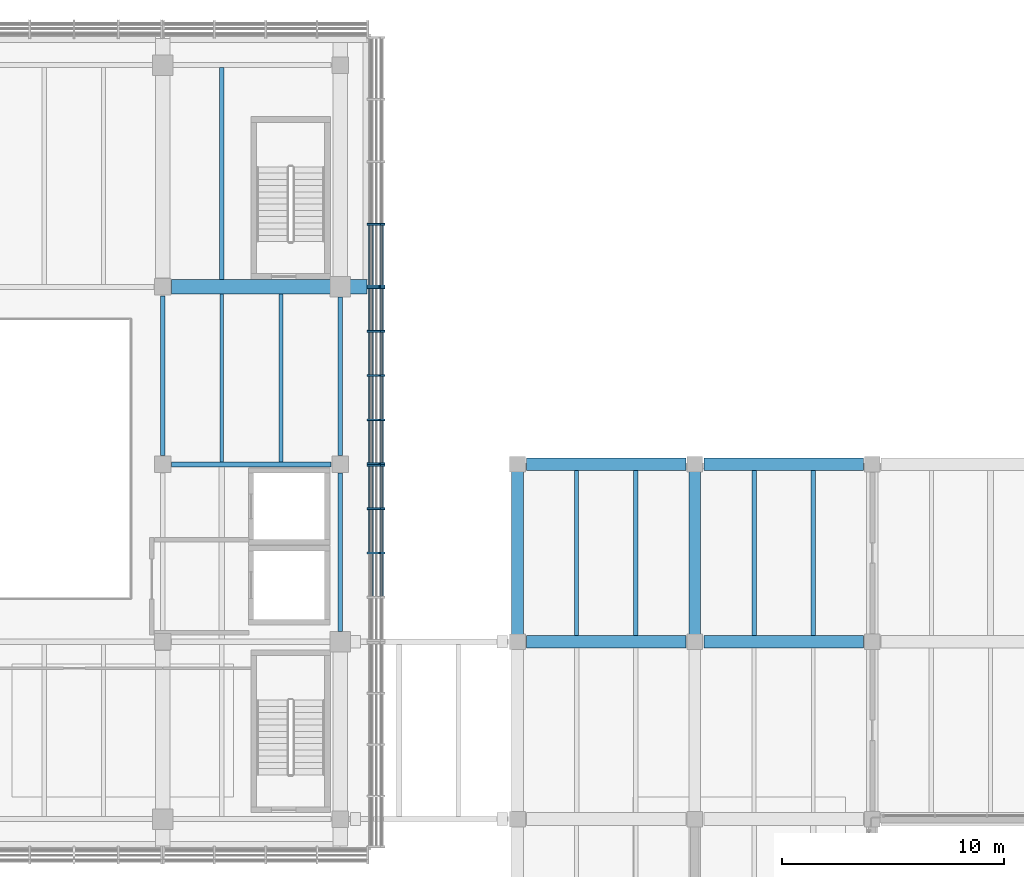
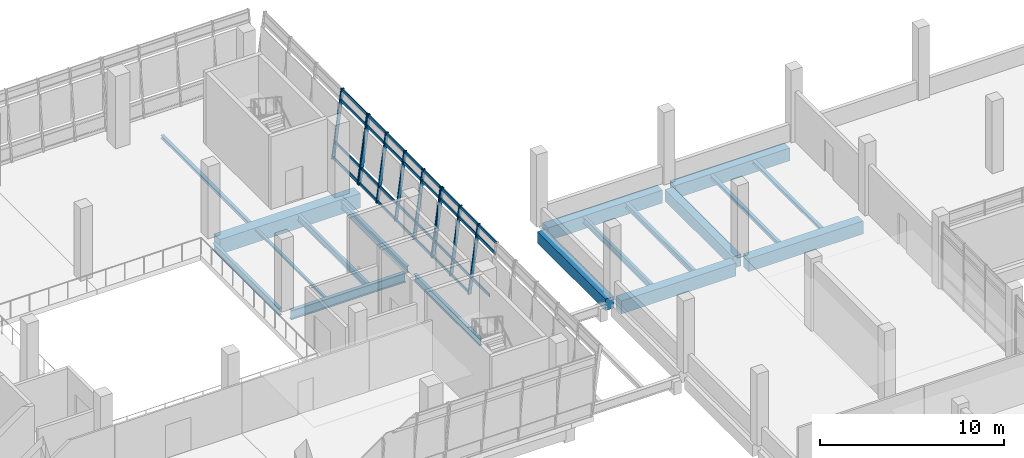
# One storey, part 16 of 52: 41 members, 18 beams, 3 elements without a shape of their own.
"""IFC4 building model written with IfcOpenShell, lengths in metres."""

from ifc_helpers import new_model, si_unit, direction, frame, origin, origin_2d, place, context, subcontext, project, spatial, rectangle, i_section, extrude, material, material_profile, profile_set, type_object, element, aggregate, save


model = new_model("IFC4")

# Units and contexts
model_context = context("Model", 3, precision=1e-05, world=origin(), true_north=direction((0.0, 1.0)))
body_context = subcontext(model_context, "Body", "Model", "MODEL_VIEW")
ifc_project = project(units=[si_unit("LENGTHUNIT", "METRE"), si_unit("AREAUNIT", "SQUARE_METRE"), si_unit("VOLUMEUNIT", "CUBIC_METRE"), si_unit("PLANEANGLEUNIT", "RADIAN"), si_unit("MASSUNIT", "GRAM", prefix="KILO")], contexts=[model_context])

# Site, building, storey
site_placement = place(None, origin())
site = spatial("IfcSite", under=ifc_project, at=site_placement, CompositionType="ELEMENT")
building_placement = place(site_placement, origin())
building = spatial("IfcBuilding", under=site, at=building_placement, Name="Pecanmere Concourse Central Library", CompositionType="ELEMENT")
storey_placement = place(building_placement, frame((0.0, 0.0, 10.5)))
storey = spatial("IfcBuildingStorey", under=building, at=storey_placement, Name="L03", CompositionType="ELEMENT", Elevation=10.5)

# Curtain wall, members
ifc_material_1 = material(Name="Anodized bronze aluminium alloy 6063-T6", Category="aluminium")
curtain_wall_type = type_object("IfcCurtainWallType", Name="CW_LEAN_BANDED", PredefinedType="USERDEFINED", material=ifc_material_1)
curtain_wall_1_placement = place(storey_placement, origin())
curtain_wall_1 = element("IfcCurtainWall", 1, at=curtain_wall_1_placement, inside=storey, type_object=curtain_wall_type, Name="Unitised Curtain Wall CW-01 L03-031", ObjectType="UNITISED CURTAIN WALL", PredefinedType="USERDEFINED")
ifc_material_2 = material(Name="Anodized bronze aluminium alloy 6063-T6", Category="aluminium")
ifc_material_profile_1 = material_profile(ifc_material_2, rectangle(XDim=0.074951171875, YDim=0.199951171875, at=origin_2d()), Name="AL 75x200")
ifc_profile_set_1 = profile_set([ifc_material_profile_1], Name="Anodized bronze aluminium alloy 6063-T6")
member_type_1 = type_object("IfcMemberType", Name="CWM_200x75", PredefinedType="MULLION", material=ifc_profile_set_1)
member_1_placement = place(storey_placement, frame((105.321044921875, 102.0, 0.0), z_axis=(0.132234484848, 0.0, 0.991218462811), x_axis=(0.0, 1.0, 0.0)))
member_1 = element("IfcMember", 2, at=member_1_placement, type_object=member_type_1, Name="CW-01 Mullion 3", PredefinedType="MULLION", context=body_context, shape_type="SweptSolid", body=[
    extrude(rectangle(XDim=0.074951171875, YDim=0.199951171875, at=origin_2d()), origin(), (0.0, 0.0, 1.0), 4.519775390625),
])
member_2_placement = place(storey_placement, frame((105.321044921875, 103.99755859375, 0.0), z_axis=(0.132234484848, 0.0, 0.991218462811), x_axis=(0.0, 1.0, 0.0)))
member_2 = element("IfcMember", 3, at=member_2_placement, type_object=member_type_1, Name="CW-01 Mullion 4", PredefinedType="MULLION", context=body_context, shape_type="SweptSolid", body=[
    extrude(rectangle(XDim=0.074951171875, YDim=0.199951171875, at=origin_2d()), origin(), (0.0, 0.0, 1.0), 4.519775390625),
])
member_3_placement = place(storey_placement, frame((105.321044921875, 105.95751953125, 0.0), z_axis=(0.132234484848, 0.0, 0.991218462811), x_axis=(0.0, 1.0, 0.0)))
member_3 = element("IfcMember", 4, at=member_3_placement, type_object=member_type_1, Name="CW-01 Mullion 5", PredefinedType="MULLION", context=body_context, shape_type="SweptSolid", body=[
    extrude(rectangle(XDim=0.074951171875, YDim=0.199951171875, at=origin_2d()), origin(), (0.0, 0.0, 1.0), 4.519775390625),
])

curtain_wall_2_placement = place(storey_placement, origin())
curtain_wall_2 = element("IfcCurtainWall", 5, at=curtain_wall_2_placement, inside=storey, type_object=curtain_wall_type, Name="Unitised Curtain Wall CW-01 L03-032", ObjectType="UNITISED CURTAIN WALL", PredefinedType="USERDEFINED")
member_4_placement = place(storey_placement, frame((105.321044921875, 106.04248046875, 0.0), z_axis=(0.132234484848, 0.0, 0.991218462811), x_axis=(0.0, 1.0, 0.0)))
member_4 = element("IfcMember", 6, at=member_4_placement, type_object=member_type_1, Name="CW-01 Mullion 1", PredefinedType="MULLION", context=body_context, shape_type="SweptSolid", body=[
    extrude(rectangle(XDim=0.074951171875, YDim=0.199951171875, at=origin_2d()), origin(), (0.0, 0.0, 1.0), 4.519775390625),
])
member_5_placement = place(storey_placement, frame((105.321044921875, 108.00244140625, 0.0), z_axis=(0.132234484848, 0.0, 0.991218462811), x_axis=(0.0, 1.0, 0.0)))
member_5 = element("IfcMember", 7, at=member_5_placement, type_object=member_type_1, Name="CW-01 Mullion 2", PredefinedType="MULLION", context=body_context, shape_type="SweptSolid", body=[
    extrude(rectangle(XDim=0.074951171875, YDim=0.199951171875, at=origin_2d()), origin(), (0.0, 0.0, 1.0), 4.519775390625),
])
member_6_placement = place(storey_placement, frame((105.321044921875, 110.0, 0.0), z_axis=(0.132234484848, 0.0, 0.991218462811), x_axis=(0.0, 1.0, 0.0)))
member_6 = element("IfcMember", 8, at=member_6_placement, type_object=member_type_1, Name="CW-01 Mullion 3", PredefinedType="MULLION", context=body_context, shape_type="SweptSolid", body=[
    extrude(rectangle(XDim=0.074951171875, YDim=0.199951171875, at=origin_2d()), origin(), (0.0, 0.0, 1.0), 4.519775390625),
])
member_7_placement = place(storey_placement, frame((105.321044921875, 111.99755859375, 0.0), z_axis=(0.132234484848, 0.0, 0.991218462811), x_axis=(0.0, 1.0, 0.0)))
member_7 = element("IfcMember", 9, at=member_7_placement, type_object=member_type_1, Name="CW-01 Mullion 4", PredefinedType="MULLION", context=body_context, shape_type="SweptSolid", body=[
    extrude(rectangle(XDim=0.074951171875, YDim=0.199951171875, at=origin_2d()), origin(), (0.0, 0.0, 1.0), 4.519775390625),
])
member_8_placement = place(storey_placement, frame((105.321044921875, 113.95751953125, 0.0), z_axis=(0.132234484848, 0.0, 0.991218462811), x_axis=(0.0, 1.0, 0.0)))
member_8 = element("IfcMember", 10, at=member_8_placement, type_object=member_type_1, Name="CW-01 Mullion 5", PredefinedType="MULLION", context=body_context, shape_type="SweptSolid", body=[
    extrude(rectangle(XDim=0.074951171875, YDim=0.199951171875, at=origin_2d()), origin(), (0.0, 0.0, 1.0), 4.519775390625),
])

curtain_wall_3_placement = place(storey_placement, origin())
curtain_wall_3 = element("IfcCurtainWall", 11, at=curtain_wall_3_placement, inside=storey, type_object=curtain_wall_type, Name="Unitised Curtain Wall CW-01 L03-033", ObjectType="UNITISED CURTAIN WALL", PredefinedType="USERDEFINED")
member_9_placement = place(storey_placement, frame((105.321044921875, 114.04248046875, 0.0), z_axis=(0.132234484848, 0.0, 0.991218462811), x_axis=(0.0, 1.0, 0.0)))
member_9 = element("IfcMember", 12, at=member_9_placement, type_object=member_type_1, Name="CW-01 Mullion 1", PredefinedType="MULLION", context=body_context, shape_type="SweptSolid", body=[
    extrude(rectangle(XDim=0.074951171875, YDim=0.199951171875, at=origin_2d()), origin(), (0.0, 0.0, 1.0), 4.519775390625),
])
member_10_placement = place(storey_placement, frame((105.321044921875, 116.823974609375, 0.0), z_axis=(0.132234484848, 0.0, 0.991218462811), x_axis=(0.0, 1.0, 0.0)))
member_10 = element("IfcMember", 13, at=member_10_placement, type_object=member_type_1, Name="CW-01 Mullion 2", PredefinedType="MULLION", context=body_context, shape_type="SweptSolid", body=[
    extrude(rectangle(XDim=0.074951171875, YDim=0.199951171875, at=origin_2d()), origin(), (0.0, 0.0, 1.0), 4.519775390625),
])

# Member
ifc_material_3 = material(Name="Anodized bronze aluminium alloy 6063-T6", Category="aluminium")
ifc_material_profile_2 = material_profile(ifc_material_3, rectangle(XDim=0.06494140625, YDim=0.179931640625, at=origin_2d()), Name="AL 65x180")
ifc_profile_set_2 = profile_set([ifc_material_profile_2], Name="Anodized bronze aluminium alloy 6063-T6")
member_type_2 = type_object("IfcMemberType", Name="CWT_180x65", PredefinedType="USERDEFINED", material=ifc_profile_set_2)
member_11_placement = place(storey_placement, frame((105.461181640625, 100.0400390625, 1.050048828125), z_axis=(0.0, 1.0, 0.0), x_axis=(-1.0, 0.0, 0.0)))
member_11 = element("IfcMember", 14, at=member_11_placement, type_object=member_type_2, Name="CW-01 Transom 2.2", ObjectType="TRANSOM", PredefinedType="USERDEFINED", context=body_context, shape_type="SweptSolid", body=[
    extrude(rectangle(XDim=0.06494140625, YDim=0.179931640625, at=origin_2d()), origin(), (0.0, 0.0, 1.0), 1.92236328125),
])

member_12_placement = place(storey_placement, frame((105.818603515625, 100.0400390625, 3.72998046875), z_axis=(0.0, 1.0, 0.0), x_axis=(-1.0, 0.0, 0.0)))
member_12 = element("IfcMember", 15, at=member_12_placement, type_object=member_type_2, Name="CW-01 Transom 2.3", ObjectType="TRANSOM", PredefinedType="USERDEFINED", context=body_context, shape_type="SweptSolid", body=[
    extrude(rectangle(XDim=0.06494140625, YDim=0.179931640625, at=origin_2d()), origin(), (0.0, 0.0, 1.0), 1.92236328125),
])

member_13_placement = place(storey_placement, frame((105.90673828125, 100.0400390625, 4.389892578125), z_axis=(0.0, 1.0, 0.0), x_axis=(-1.0, 0.0, 0.0)))
member_13 = element("IfcMember", 16, at=member_13_placement, type_object=member_type_2, Name="CW-01 Transom 2.4", ObjectType="TRANSOM", PredefinedType="USERDEFINED", context=body_context, shape_type="SweptSolid", body=[
    extrude(rectangle(XDim=0.06494140625, YDim=0.179931640625, at=origin_2d()), origin(), (0.0, 0.0, 1.0), 1.92236328125),
])

member_14_placement = place(storey_placement, frame((105.3330078125, 102.03759765625, 0.090087890625), z_axis=(0.0, 1.0, 0.0), x_axis=(-1.0, 0.0, 0.0)))
member_14 = element("IfcMember", 17, at=member_14_placement, type_object=member_type_2, Name="CW-01 Transom 3.1", ObjectType="TRANSOM", PredefinedType="USERDEFINED", context=body_context, shape_type="SweptSolid", body=[
    extrude(rectangle(XDim=0.06494140625, YDim=0.179931640625, at=origin_2d()), origin(), (0.0, 0.0, 1.0), 1.92236328125),
])

member_15_placement = place(storey_placement, frame((105.461181640625, 102.03759765625, 1.050048828125), z_axis=(0.0, 1.0, 0.0), x_axis=(-1.0, 0.0, 0.0)))
member_15 = element("IfcMember", 18, at=member_15_placement, type_object=member_type_2, Name="CW-01 Transom 3.2", ObjectType="TRANSOM", PredefinedType="USERDEFINED", context=body_context, shape_type="SweptSolid", body=[
    extrude(rectangle(XDim=0.06494140625, YDim=0.179931640625, at=origin_2d()), origin(), (0.0, 0.0, 1.0), 1.92236328125),
])

member_16_placement = place(storey_placement, frame((105.818603515625, 102.03759765625, 3.72998046875), z_axis=(0.0, 1.0, 0.0), x_axis=(-1.0, 0.0, 0.0)))
member_16 = element("IfcMember", 19, at=member_16_placement, type_object=member_type_2, Name="CW-01 Transom 3.3", ObjectType="TRANSOM", PredefinedType="USERDEFINED", context=body_context, shape_type="SweptSolid", body=[
    extrude(rectangle(XDim=0.06494140625, YDim=0.179931640625, at=origin_2d()), origin(), (0.0, 0.0, 1.0), 1.92236328125),
])

member_17_placement = place(storey_placement, frame((105.90673828125, 102.03759765625, 4.389892578125), z_axis=(0.0, 1.0, 0.0), x_axis=(-1.0, 0.0, 0.0)))
member_17 = element("IfcMember", 20, at=member_17_placement, type_object=member_type_2, Name="CW-01 Transom 3.4", ObjectType="TRANSOM", PredefinedType="USERDEFINED", context=body_context, shape_type="SweptSolid", body=[
    extrude(rectangle(XDim=0.06494140625, YDim=0.179931640625, at=origin_2d()), origin(), (0.0, 0.0, 1.0), 1.92236328125),
])

member_18_placement = place(storey_placement, frame((105.3330078125, 104.034912109375, 0.090087890625), z_axis=(0.0, 1.0, 0.0), x_axis=(-1.0, 0.0, 0.0)))
member_18 = element("IfcMember", 21, at=member_18_placement, type_object=member_type_2, Name="CW-01 Transom 4.1", ObjectType="TRANSOM", PredefinedType="USERDEFINED", context=body_context, shape_type="SweptSolid", body=[
    extrude(rectangle(XDim=0.06494140625, YDim=0.179931640625, at=origin_2d()), origin(), (0.0, 0.0, 1.0), 1.885009765625),
])

member_19_placement = place(storey_placement, frame((105.461181640625, 104.034912109375, 1.050048828125), z_axis=(0.0, 1.0, 0.0), x_axis=(-1.0, 0.0, 0.0)))
member_19 = element("IfcMember", 22, at=member_19_placement, type_object=member_type_2, Name="CW-01 Transom 4.2", ObjectType="TRANSOM", PredefinedType="USERDEFINED", context=body_context, shape_type="SweptSolid", body=[
    extrude(rectangle(XDim=0.06494140625, YDim=0.179931640625, at=origin_2d()), origin(), (0.0, 0.0, 1.0), 1.885009765625),
])

member_20_placement = place(storey_placement, frame((105.818603515625, 104.034912109375, 3.72998046875), z_axis=(0.0, 1.0, 0.0), x_axis=(-1.0, 0.0, 0.0)))
member_20 = element("IfcMember", 23, at=member_20_placement, type_object=member_type_2, Name="CW-01 Transom 4.3", ObjectType="TRANSOM", PredefinedType="USERDEFINED", context=body_context, shape_type="SweptSolid", body=[
    extrude(rectangle(XDim=0.06494140625, YDim=0.179931640625, at=origin_2d()), origin(), (0.0, 0.0, 1.0), 1.885009765625),
])

member_21_placement = place(storey_placement, frame((105.90673828125, 104.034912109375, 4.389892578125), z_axis=(0.0, 1.0, 0.0), x_axis=(-1.0, 0.0, 0.0)))
member_21 = element("IfcMember", 24, at=member_21_placement, type_object=member_type_2, Name="CW-01 Transom 4.4", ObjectType="TRANSOM", PredefinedType="USERDEFINED", context=body_context, shape_type="SweptSolid", body=[
    extrude(rectangle(XDim=0.06494140625, YDim=0.179931640625, at=origin_2d()), origin(), (0.0, 0.0, 1.0), 1.885009765625),
])

aggregate(curtain_wall_1, [member_1, member_2, member_3, member_11, member_12, member_13, member_14, member_15, member_16, member_17, member_18, member_19, member_20, member_21])

member_22_placement = place(storey_placement, frame((105.3330078125, 106.080078125, 0.090087890625), z_axis=(0.0, 1.0, 0.0), x_axis=(-1.0, 0.0, 0.0)))
member_22 = element("IfcMember", 25, at=member_22_placement, type_object=member_type_2, Name="CW-01 Transom 1.1", ObjectType="TRANSOM", PredefinedType="USERDEFINED", context=body_context, shape_type="SweptSolid", body=[
    extrude(rectangle(XDim=0.06494140625, YDim=0.179931640625, at=origin_2d()), origin(), (0.0, 0.0, 1.0), 1.885009765625),
])

member_23_placement = place(storey_placement, frame((105.461181640625, 106.080078125, 1.050048828125), z_axis=(0.0, 1.0, 0.0), x_axis=(-1.0, 0.0, 0.0)))
member_23 = element("IfcMember", 26, at=member_23_placement, type_object=member_type_2, Name="CW-01 Transom 1.2", ObjectType="TRANSOM", PredefinedType="USERDEFINED", context=body_context, shape_type="SweptSolid", body=[
    extrude(rectangle(XDim=0.06494140625, YDim=0.179931640625, at=origin_2d()), origin(), (0.0, 0.0, 1.0), 1.885009765625),
])

member_24_placement = place(storey_placement, frame((105.818603515625, 106.080078125, 3.72998046875), z_axis=(0.0, 1.0, 0.0), x_axis=(-1.0, 0.0, 0.0)))
member_24 = element("IfcMember", 27, at=member_24_placement, type_object=member_type_2, Name="CW-01 Transom 1.3", ObjectType="TRANSOM", PredefinedType="USERDEFINED", context=body_context, shape_type="SweptSolid", body=[
    extrude(rectangle(XDim=0.06494140625, YDim=0.179931640625, at=origin_2d()), origin(), (0.0, 0.0, 1.0), 1.885009765625),
])

member_25_placement = place(storey_placement, frame((105.90673828125, 106.080078125, 4.389892578125), z_axis=(0.0, 1.0, 0.0), x_axis=(-1.0, 0.0, 0.0)))
member_25 = element("IfcMember", 28, at=member_25_placement, type_object=member_type_2, Name="CW-01 Transom 1.4", ObjectType="TRANSOM", PredefinedType="USERDEFINED", context=body_context, shape_type="SweptSolid", body=[
    extrude(rectangle(XDim=0.06494140625, YDim=0.179931640625, at=origin_2d()), origin(), (0.0, 0.0, 1.0), 1.885009765625),
])

member_26_placement = place(storey_placement, frame((105.3330078125, 108.0400390625, 0.090087890625), z_axis=(0.0, 1.0, 0.0), x_axis=(-1.0, 0.0, 0.0)))
member_26 = element("IfcMember", 29, at=member_26_placement, type_object=member_type_2, Name="CW-01 Transom 2.1", ObjectType="TRANSOM", PredefinedType="USERDEFINED", context=body_context, shape_type="SweptSolid", body=[
    extrude(rectangle(XDim=0.06494140625, YDim=0.179931640625, at=origin_2d()), origin(), (0.0, 0.0, 1.0), 1.92236328125),
])

member_27_placement = place(storey_placement, frame((105.461181640625, 108.0400390625, 1.050048828125), z_axis=(0.0, 1.0, 0.0), x_axis=(-1.0, 0.0, 0.0)))
member_27 = element("IfcMember", 30, at=member_27_placement, type_object=member_type_2, Name="CW-01 Transom 2.2", ObjectType="TRANSOM", PredefinedType="USERDEFINED", context=body_context, shape_type="SweptSolid", body=[
    extrude(rectangle(XDim=0.06494140625, YDim=0.179931640625, at=origin_2d()), origin(), (0.0, 0.0, 1.0), 1.92236328125),
])

member_28_placement = place(storey_placement, frame((105.818603515625, 108.0400390625, 3.72998046875), z_axis=(0.0, 1.0, 0.0), x_axis=(-1.0, 0.0, 0.0)))
member_28 = element("IfcMember", 31, at=member_28_placement, type_object=member_type_2, Name="CW-01 Transom 2.3", ObjectType="TRANSOM", PredefinedType="USERDEFINED", context=body_context, shape_type="SweptSolid", body=[
    extrude(rectangle(XDim=0.06494140625, YDim=0.179931640625, at=origin_2d()), origin(), (0.0, 0.0, 1.0), 1.92236328125),
])

member_29_placement = place(storey_placement, frame((105.90673828125, 108.0400390625, 4.389892578125), z_axis=(0.0, 1.0, 0.0), x_axis=(-1.0, 0.0, 0.0)))
member_29 = element("IfcMember", 32, at=member_29_placement, type_object=member_type_2, Name="CW-01 Transom 2.4", ObjectType="TRANSOM", PredefinedType="USERDEFINED", context=body_context, shape_type="SweptSolid", body=[
    extrude(rectangle(XDim=0.06494140625, YDim=0.179931640625, at=origin_2d()), origin(), (0.0, 0.0, 1.0), 1.92236328125),
])

member_30_placement = place(storey_placement, frame((105.3330078125, 110.03759765625, 0.090087890625), z_axis=(0.0, 1.0, 0.0), x_axis=(-1.0, 0.0, 0.0)))
member_30 = element("IfcMember", 33, at=member_30_placement, type_object=member_type_2, Name="CW-01 Transom 3.1", ObjectType="TRANSOM", PredefinedType="USERDEFINED", context=body_context, shape_type="SweptSolid", body=[
    extrude(rectangle(XDim=0.06494140625, YDim=0.179931640625, at=origin_2d()), origin(), (0.0, 0.0, 1.0), 1.92236328125),
])

member_31_placement = place(storey_placement, frame((105.461181640625, 110.03759765625, 1.050048828125), z_axis=(0.0, 1.0, 0.0), x_axis=(-1.0, 0.0, 0.0)))
member_31 = element("IfcMember", 34, at=member_31_placement, type_object=member_type_2, Name="CW-01 Transom 3.2", ObjectType="TRANSOM", PredefinedType="USERDEFINED", context=body_context, shape_type="SweptSolid", body=[
    extrude(rectangle(XDim=0.06494140625, YDim=0.179931640625, at=origin_2d()), origin(), (0.0, 0.0, 1.0), 1.92236328125),
])

member_32_placement = place(storey_placement, frame((105.818603515625, 110.03759765625, 3.72998046875), z_axis=(0.0, 1.0, 0.0), x_axis=(-1.0, 0.0, 0.0)))
member_32 = element("IfcMember", 35, at=member_32_placement, type_object=member_type_2, Name="CW-01 Transom 3.3", ObjectType="TRANSOM", PredefinedType="USERDEFINED", context=body_context, shape_type="SweptSolid", body=[
    extrude(rectangle(XDim=0.06494140625, YDim=0.179931640625, at=origin_2d()), origin(), (0.0, 0.0, 1.0), 1.92236328125),
])

member_33_placement = place(storey_placement, frame((105.90673828125, 110.03759765625, 4.389892578125), z_axis=(0.0, 1.0, 0.0), x_axis=(-1.0, 0.0, 0.0)))
member_33 = element("IfcMember", 36, at=member_33_placement, type_object=member_type_2, Name="CW-01 Transom 3.4", ObjectType="TRANSOM", PredefinedType="USERDEFINED", context=body_context, shape_type="SweptSolid", body=[
    extrude(rectangle(XDim=0.06494140625, YDim=0.179931640625, at=origin_2d()), origin(), (0.0, 0.0, 1.0), 1.92236328125),
])

member_34_placement = place(storey_placement, frame((105.3330078125, 112.034912109375, 0.090087890625), z_axis=(0.0, 1.0, 0.0), x_axis=(-1.0, 0.0, 0.0)))
member_34 = element("IfcMember", 37, at=member_34_placement, type_object=member_type_2, Name="CW-01 Transom 4.1", ObjectType="TRANSOM", PredefinedType="USERDEFINED", context=body_context, shape_type="SweptSolid", body=[
    extrude(rectangle(XDim=0.06494140625, YDim=0.179931640625, at=origin_2d()), origin(), (0.0, 0.0, 1.0), 1.885009765625),
])

member_35_placement = place(storey_placement, frame((105.461181640625, 112.034912109375, 1.050048828125), z_axis=(0.0, 1.0, 0.0), x_axis=(-1.0, 0.0, 0.0)))
member_35 = element("IfcMember", 38, at=member_35_placement, type_object=member_type_2, Name="CW-01 Transom 4.2", ObjectType="TRANSOM", PredefinedType="USERDEFINED", context=body_context, shape_type="SweptSolid", body=[
    extrude(rectangle(XDim=0.06494140625, YDim=0.179931640625, at=origin_2d()), origin(), (0.0, 0.0, 1.0), 1.885009765625),
])

member_36_placement = place(storey_placement, frame((105.818603515625, 112.034912109375, 3.72998046875), z_axis=(0.0, 1.0, 0.0), x_axis=(-1.0, 0.0, 0.0)))
member_36 = element("IfcMember", 39, at=member_36_placement, type_object=member_type_2, Name="CW-01 Transom 4.3", ObjectType="TRANSOM", PredefinedType="USERDEFINED", context=body_context, shape_type="SweptSolid", body=[
    extrude(rectangle(XDim=0.06494140625, YDim=0.179931640625, at=origin_2d()), origin(), (0.0, 0.0, 1.0), 1.885009765625),
])

member_37_placement = place(storey_placement, frame((105.90673828125, 112.034912109375, 4.389892578125), z_axis=(0.0, 1.0, 0.0), x_axis=(-1.0, 0.0, 0.0)))
member_37 = element("IfcMember", 40, at=member_37_placement, type_object=member_type_2, Name="CW-01 Transom 4.4", ObjectType="TRANSOM", PredefinedType="USERDEFINED", context=body_context, shape_type="SweptSolid", body=[
    extrude(rectangle(XDim=0.06494140625, YDim=0.179931640625, at=origin_2d()), origin(), (0.0, 0.0, 1.0), 1.885009765625),
])

aggregate(curtain_wall_2, [member_4, member_5, member_6, member_7, member_8, member_22, member_23, member_24, member_25, member_26, member_27, member_28, member_29, member_30, member_31, member_32, member_33, member_34, member_35, member_36, member_37])

member_38_placement = place(storey_placement, frame((105.3330078125, 114.080078125, 0.090087890625), z_axis=(0.0, 1.0, 0.0), x_axis=(-1.0, 0.0, 0.0)))
member_38 = element("IfcMember", 41, at=member_38_placement, type_object=member_type_2, Name="CW-01 Transom 1.1", ObjectType="TRANSOM", PredefinedType="USERDEFINED", context=body_context, shape_type="SweptSolid", body=[
    extrude(rectangle(XDim=0.06494140625, YDim=0.179931640625, at=origin_2d()), origin(), (0.0, 0.0, 1.0), 2.70654296875),
])

member_39_placement = place(storey_placement, frame((105.461181640625, 114.080078125, 1.050048828125), z_axis=(0.0, 1.0, 0.0), x_axis=(-1.0, 0.0, 0.0)))
member_39 = element("IfcMember", 42, at=member_39_placement, type_object=member_type_2, Name="CW-01 Transom 1.2", ObjectType="TRANSOM", PredefinedType="USERDEFINED", context=body_context, shape_type="SweptSolid", body=[
    extrude(rectangle(XDim=0.06494140625, YDim=0.179931640625, at=origin_2d()), origin(), (0.0, 0.0, 1.0), 2.70654296875),
])

member_40_placement = place(storey_placement, frame((105.818603515625, 114.080078125, 3.72998046875), z_axis=(0.0, 1.0, 0.0), x_axis=(-1.0, 0.0, 0.0)))
member_40 = element("IfcMember", 43, at=member_40_placement, type_object=member_type_2, Name="CW-01 Transom 1.3", ObjectType="TRANSOM", PredefinedType="USERDEFINED", context=body_context, shape_type="SweptSolid", body=[
    extrude(rectangle(XDim=0.06494140625, YDim=0.179931640625, at=origin_2d()), origin(), (0.0, 0.0, 1.0), 2.70654296875),
])

member_41_placement = place(storey_placement, frame((105.90673828125, 114.080078125, 4.389892578125), z_axis=(0.0, 1.0, 0.0), x_axis=(-1.0, 0.0, 0.0)))
member_41 = element("IfcMember", 44, at=member_41_placement, type_object=member_type_2, Name="CW-01 Transom 1.4", ObjectType="TRANSOM", PredefinedType="USERDEFINED", context=body_context, shape_type="SweptSolid", body=[
    extrude(rectangle(XDim=0.06494140625, YDim=0.179931640625, at=origin_2d()), origin(), (0.0, 0.0, 1.0), 2.70654296875),
])

aggregate(curtain_wall_3, [member_9, member_10, member_38, member_39, member_40, member_41])

# Beams
ifc_material_4 = material(Name="Concrete C40/50", Category="concrete")
ifc_material_profile_3 = material_profile(ifc_material_4, rectangle(XDim=0.52001953125, YDim=0.77001953125, at=origin_2d()), Name="RC 520x770")
ifc_profile_set_3 = profile_set([ifc_material_profile_3], Name="Concrete C40/50")
beam_type_1 = type_object("IfcBeamType", Name="GRD_520x770", PredefinedType="USERDEFINED", material=ifc_profile_set_3)
for number, where, z_axis, x_axis, name in (
    (45, (112.0, 98.300048828125, -0.72509765625), (0.0, 1.0, 0.0), (-1.0, 0.0, 0.0), "Primary Girder Y L03-1774"),
    (46, (120.0, 98.300048828125, -0.72509765625), (0.0, 1.0, 0.0), (-1.0, 0.0, 0.0), "Primary Girder Y L03-1781"),
):
    element("IfcBeam", number, at=place(storey_placement, frame(where, z_axis=z_axis, x_axis=x_axis)), inside=storey, type_object=beam_type_1, Name=name, ObjectType="GIRDER", PredefinedType="USERDEFINED", context=body_context, shape_type="SweptSolid", body=[
        extrude(rectangle(XDim=0.52001953125, YDim=0.77001953125, at=origin_2d()), origin(), (0.0, 0.0, 1.0), 7.39990234375),
    ])
ifc_material_5 = material(Name="Concrete C40/50", Category="concrete")
ifc_material_profile_4 = material_profile(ifc_material_5, rectangle(XDim=0.580078125, YDim=0.860107421875, at=origin_2d()), Name="RC 580x860")
ifc_profile_set_4 = profile_set([ifc_material_profile_4], Name="Concrete C40/50")
beam_type_2 = type_object("IfcBeamType", Name="GRD_580x860", PredefinedType="USERDEFINED", material=ifc_profile_set_4)
for number, where, z_axis, x_axis, name in (
    (47, (112.39990234375, 98.0, -0.77001953125), (1.0, 0.0, 0.0), (0.0, 1.0, 0.0), "Primary Girder X L03-1633"),
    (48, (120.39990234375, 98.0, -0.77001953125), (1.0, 0.0, 0.0), (0.0, 1.0, 0.0), "Primary Girder X L03-1634"),
    (49, (112.39990234375, 106.0, -0.77001953125), (1.0, 0.0, 0.0), (0.0, 1.0, 0.0), "Primary Girder X L03-1645"),
    (50, (120.39990234375, 106.0, -0.77001953125), (1.0, 0.0, 0.0), (0.0, 1.0, 0.0), "Primary Girder X L03-1646"),
):
    element("IfcBeam", number, at=place(storey_placement, frame(where, z_axis=z_axis, x_axis=x_axis)), inside=storey, type_object=beam_type_2, Name=name, ObjectType="GIRDER", PredefinedType="USERDEFINED", context=body_context, shape_type="SweptSolid", body=[
        extrude(rectangle(XDim=0.580078125, YDim=0.860107421875, at=origin_2d()), origin(), (0.0, 0.0, 1.0), 7.2001953125),
    ])
ifc_material_6 = material(Name="Concrete C40/50", Category="concrete")
ifc_material_profile_5 = material_profile(ifc_material_6, rectangle(XDim=0.659912109375, YDim=0.97998046875, at=origin_2d()), Name="RC 660x980")
ifc_profile_set_5 = profile_set([ifc_material_profile_5], Name="Concrete C40/50")
beam_type_3 = type_object("IfcBeamType", Name="GRD_660x980", PredefinedType="USERDEFINED", material=ifc_profile_set_5)
beam_1_placement = place(storey_placement, frame((96.39990234375, 114.0, -0.830078125), z_axis=(1.0, 0.0, 0.0), x_axis=(0.0, 1.0, 0.0)))
element("IfcBeam", 51, at=beam_1_placement, inside=storey, type_object=beam_type_3, Name="Primary Girder X L03-1653", ObjectType="GIRDER", PredefinedType="USERDEFINED", context=body_context, shape_type="SweptSolid", body=[
    extrude(rectangle(XDim=0.659912109375, YDim=0.97998046875, at=origin_2d()), origin(), (0.0, 0.0, 1.0), 8.81103515625),
])
ifc_material_7 = material(Name="Structural steel ASTM A992 Grade 50", Category="steel")
ifc_material_profile_6 = material_profile(ifc_material_7, i_section(OverallWidth=0.152099609375, OverallDepth=0.152099609375, WebThickness=0.005859375, FlangeThickness=0.006591796875, at=origin_2d()), Name="W150x22.5")
ifc_profile_set_6 = profile_set([ifc_material_profile_6], Name="Structural steel ASTM A992 Grade 50")
beam_type_4 = type_object("IfcBeamType", Name="SBM_W150x22", PredefinedType="LINTEL", material=ifc_profile_set_6)
beam_2_placement = place(storey_placement, frame((98.666748046875, 106.114990234375, -0.416015625), z_axis=(0.0, 1.0, 0.0), x_axis=(-1.0, 0.0, 0.0)))
element("IfcBeam", 52, at=beam_2_placement, inside=storey, type_object=beam_type_4, Name="Secondary Floor Joist L03-1990", PredefinedType="LINTEL", context=body_context, shape_type="SweptSolid", body=[
    extrude(i_section(OverallWidth=0.152099609375, OverallDepth=0.152099609375, WebThickness=0.005859375, FlangeThickness=0.006591796875, at=origin_2d()), origin(), (0.0, 0.0, 1.0), 7.554931640625),
])
ifc_material_8 = material(Name="Structural steel ASTM A992 Grade 50", Category="steel")
ifc_material_profile_7 = material_profile(ifc_material_8, i_section(OverallWidth=0.2041015625, OverallDepth=0.2060546875, WebThickness=0.0078125, FlangeThickness=0.0126953125, at=origin_2d()), Name="W200x52")
ifc_profile_set_7 = profile_set([ifc_material_profile_7], Name="Structural steel ASTM A992 Grade 50")
beam_type_5 = type_object("IfcBeamType", Name="SBM_W200x52", PredefinedType="JOIST", material=ifc_profile_set_7)
beam_3_placement = place(storey_placement, frame((98.666748046875, 114.330078125, -0.443115234375), z_axis=(0.0, 1.0, 0.0), x_axis=(-1.0, 0.0, 0.0)))
element("IfcBeam", 53, at=beam_3_placement, inside=storey, type_object=beam_type_5, Name="Secondary Floor Joist L03-1992", PredefinedType="JOIST", context=body_context, shape_type="SweptSolid", body=[
    extrude(i_section(OverallWidth=0.2041015625, OverallDepth=0.2060546875, WebThickness=0.0078125, FlangeThickness=0.0126953125, at=origin_2d()), origin(), (0.0, 0.0, 1.0), 9.554931640625),
])
beam_4_placement = place(storey_placement, frame((125.333251953125, 98.2900390625, -0.443115234375), z_axis=(0.0, 1.0, 0.0), x_axis=(-1.0, 0.0, 0.0)))
element("IfcBeam", 54, at=beam_4_placement, inside=storey, type_object=beam_type_5, Name="Secondary Floor Joist L03-2029", PredefinedType="JOIST", context=body_context, shape_type="SweptSolid", body=[
    extrude(i_section(OverallWidth=0.2041015625, OverallDepth=0.2060546875, WebThickness=0.0078125, FlangeThickness=0.0126953125, at=origin_2d()), origin(), (0.0, 0.0, 1.0), 7.419921875),
])
ifc_material_9 = material(Name="Structural steel ASTM A992 Grade 50", Category="steel")
ifc_material_profile_8 = material_profile(ifc_material_9, i_section(OverallWidth=0.201904296875, OverallDepth=0.2470703125, WebThickness=0.00732421875, FlangeThickness=0.010986328125, at=origin_2d()), Name="W250x49.1")
ifc_profile_set_8 = profile_set([ifc_material_profile_8], Name="Structural steel ASTM A992 Grade 50")
beam_type_6 = type_object("IfcBeamType", Name="SBM_W250x49", PredefinedType="JOIST", material=ifc_profile_set_8)
beam_5_placement = place(storey_placement, frame((122.666748046875, 98.2900390625, -0.46337890625), z_axis=(0.0, 1.0, 0.0), x_axis=(-1.0, 0.0, 0.0)))
element("IfcBeam", 55, at=beam_5_placement, inside=storey, type_object=beam_type_6, Name="Secondary Floor Joist L03-2028", PredefinedType="JOIST", context=body_context, shape_type="SweptSolid", body=[
    extrude(i_section(OverallWidth=0.201904296875, OverallDepth=0.2470703125, WebThickness=0.00732421875, FlangeThickness=0.010986328125, at=origin_2d()), origin(), (0.0, 0.0, 1.0), 7.419921875),
])
ifc_material_10 = material(Name="Structural steel ASTM A992 Grade 50", Category="steel")
ifc_material_profile_9 = material_profile(ifc_material_10, i_section(OverallWidth=0.202880859375, OverallDepth=0.346923828125, WebThickness=0.0078125, FlangeThickness=0.013427734375, at=origin_2d()), Name="W360x64")
ifc_profile_set_9 = profile_set([ifc_material_profile_9], Name="Structural steel ASTM A992 Grade 50")
beam_type_7 = type_object("IfcBeamType", Name="SBM_W360x64", PredefinedType="JOIST", material=ifc_profile_set_9)
beam_6_placement = place(storey_placement, frame((117.333251953125, 98.2900390625, -0.513427734375), z_axis=(0.0, 1.0, 0.0), x_axis=(-1.0, 0.0, 0.0)))
element("IfcBeam", 56, at=beam_6_placement, inside=storey, type_object=beam_type_7, Name="Secondary Floor Joist L03-2015", PredefinedType="JOIST", context=body_context, shape_type="SweptSolid", body=[
    extrude(i_section(OverallWidth=0.202880859375, OverallDepth=0.346923828125, WebThickness=0.0078125, FlangeThickness=0.013427734375, at=origin_2d()), origin(), (0.0, 0.0, 1.0), 7.419921875),
])
ifc_material_11 = material(Name="Structural steel ASTM A992 Grade 50", Category="steel")
ifc_material_profile_10 = material_profile(ifc_material_11, i_section(OverallWidth=0.177978515625, OverallDepth=0.406982421875, WebThickness=0.0078125, FlangeThickness=0.0126953125, at=origin_2d()), Name="W410x60")
ifc_profile_set_10 = profile_set([ifc_material_profile_10], Name="Structural steel ASTM A992 Grade 50")
beam_type_8 = type_object("IfcBeamType", Name="SBM_W410x60", PredefinedType="JOIST", material=ifc_profile_set_10)
beam_7_placement = place(storey_placement, frame((101.333251953125, 106.114990234375, -0.54345703125), z_axis=(0.0, 1.0, 0.0), x_axis=(-1.0, 0.0, 0.0)))
element("IfcBeam", 57, at=beam_7_placement, inside=storey, type_object=beam_type_8, Name="Secondary Floor Joist L03-1991", PredefinedType="JOIST", context=body_context, shape_type="SweptSolid", body=[
    extrude(i_section(OverallWidth=0.177978515625, OverallDepth=0.406982421875, WebThickness=0.0078125, FlangeThickness=0.0126953125, at=origin_2d()), origin(), (0.0, 0.0, 1.0), 7.554931640625),
])
beam_8_placement = place(storey_placement, frame((114.666748046875, 98.2900390625, -0.54345703125), z_axis=(0.0, 1.0, 0.0), x_axis=(-1.0, 0.0, 0.0)))
element("IfcBeam", 58, at=beam_8_placement, inside=storey, type_object=beam_type_8, Name="Secondary Floor Joist L03-2014", PredefinedType="JOIST", context=body_context, shape_type="SweptSolid", body=[
    extrude(i_section(OverallWidth=0.177978515625, OverallDepth=0.406982421875, WebThickness=0.0078125, FlangeThickness=0.0126953125, at=origin_2d()), origin(), (0.0, 0.0, 1.0), 7.419921875),
])
ifc_material_12 = material(Name="Structural steel ASTM A992 Grade 50", Category="steel")
ifc_material_profile_11 = material_profile(ifc_material_12, i_section(OverallWidth=0.194091796875, OverallDepth=0.468994140625, WebThickness=0.0126953125, FlangeThickness=0.0205078125, at=origin_2d()), Name="W460x106")
ifc_profile_set_11 = profile_set([ifc_material_profile_11], Name="Structural steel ASTM A992 Grade 50")
beam_type_9 = type_object("IfcBeamType", Name="SBM_W460x106", PredefinedType="USERDEFINED", material=ifc_profile_set_11)
beam_9_placement = place(storey_placement, frame((96.0, 106.39990234375, -0.574462890625), z_axis=(0.0, 1.0, 0.0), x_axis=(-1.0, 0.0, 0.0)))
element("IfcBeam", 59, at=beam_9_placement, inside=storey, type_object=beam_type_9, Name="Primary Girder Y L03-1755", ObjectType="GIRDER", PredefinedType="USERDEFINED", context=body_context, shape_type="SweptSolid", body=[
    extrude(i_section(OverallWidth=0.194091796875, OverallDepth=0.468994140625, WebThickness=0.0126953125, FlangeThickness=0.0205078125, at=origin_2d()), origin(), (0.0, 0.0, 1.0), 7.2001953125),
])
for number, where, z_axis, x_axis, name in (
    (60, (104.0, 98.4599609375, -0.574462890625), (0.0, 1.0, 0.0), (-1.0, 0.0, 0.0), "Primary Girder Y L03-1763"),
    (61, (104.0, 106.39990234375, -0.574462890625), (0.0, 1.0, 0.0), (-1.0, 0.0, 0.0), "Primary Girder Y L03-1764"),
):
    element("IfcBeam", number, at=place(storey_placement, frame(where, z_axis=z_axis, x_axis=x_axis)), inside=storey, type_object=beam_type_9, Name=name, ObjectType="GIRDER", PredefinedType="USERDEFINED", context=body_context, shape_type="SweptSolid", body=[
        extrude(i_section(OverallWidth=0.194091796875, OverallDepth=0.468994140625, WebThickness=0.0126953125, FlangeThickness=0.0205078125, at=origin_2d()), origin(), (0.0, 0.0, 1.0), 7.14013671875),
    ])
ifc_material_13 = material(Name="Structural steel ASTM A992 Grade 50", Category="steel")
ifc_material_profile_12 = material_profile(ifc_material_13, i_section(OverallWidth=0.22998046875, OverallDepth=0.616943359375, WebThickness=0.01318359375, FlangeThickness=0.022216796875, at=origin_2d()), Name="W610x140")
ifc_profile_set_12 = profile_set([ifc_material_profile_12], Name="Structural steel ASTM A992 Grade 50")
beam_type_10 = type_object("IfcBeamType", Name="SBM_W610x140", PredefinedType="USERDEFINED", material=ifc_profile_set_12)
beam_10_placement = place(storey_placement, frame((96.39990234375, 106.0, -0.6484375), z_axis=(1.0, 0.0, 0.0), x_axis=(0.0, 1.0, 0.0)))
element("IfcBeam", 62, at=beam_10_placement, inside=storey, type_object=beam_type_10, Name="Primary Girder X L03-1644", ObjectType="GIRDER", PredefinedType="USERDEFINED", context=body_context, shape_type="SweptSolid", body=[
    extrude(i_section(OverallWidth=0.22998046875, OverallDepth=0.616943359375, WebThickness=0.01318359375, FlangeThickness=0.022216796875, at=origin_2d()), origin(), (0.0, 0.0, 1.0), 7.2001953125),
])

save(model, "model.ifc")
